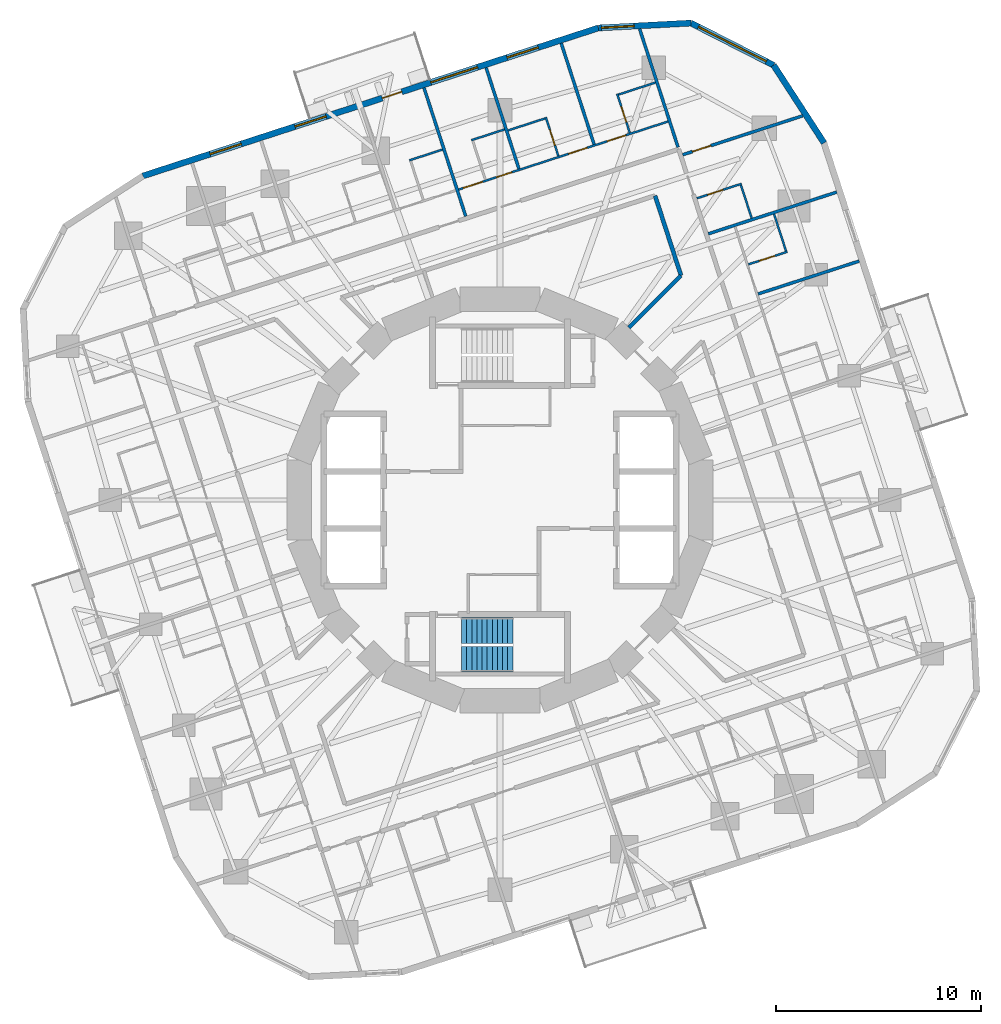
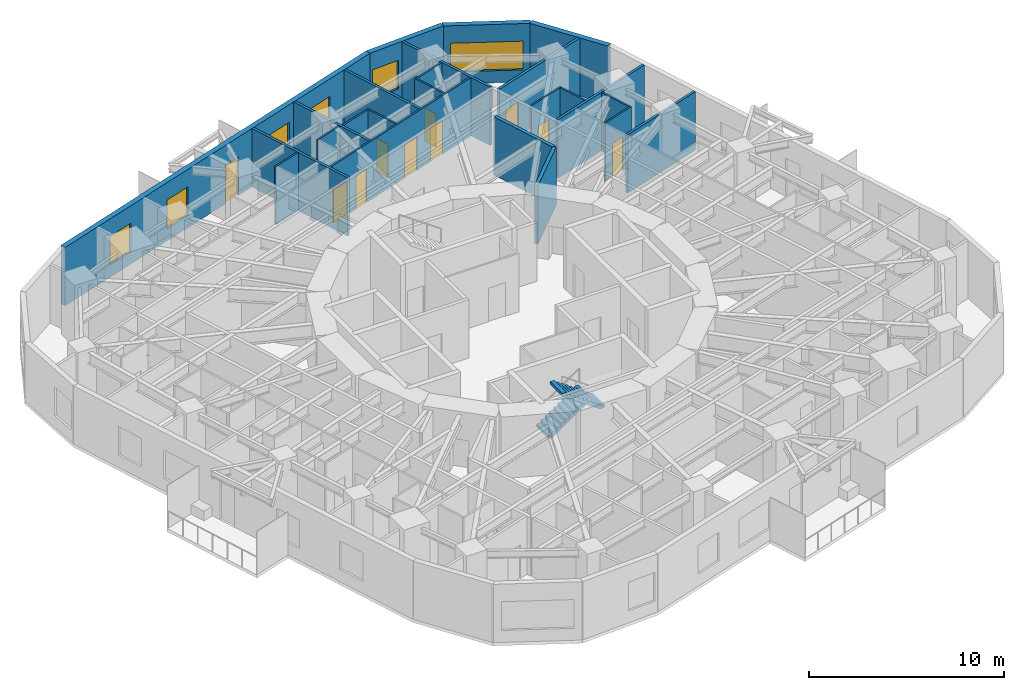
# One storey, part 10 of 13: 24 walls, 10 doors, 6 windows, 2 stair flights, 16 openings, 1 element without a shape of its own.
"""IFC4 building model written with IfcOpenShell, lengths in metres."""

from ifc_helpers import new_model, si_unit, direction, frame, frame_2d, origin, place, context, subcontext, project, spatial, polyline, rectangle, outline, extrude, material, layer, layer_set, type_object, element, fill, aggregate, save


model = new_model("IFC4")

# Units and contexts
model_context = context("Model", 3, precision=1e-05, world=origin(), true_north=direction((0.0, 1.0)))
body_context = subcontext(model_context, "Body", "Model", "MODEL_VIEW")
ifc_project = project(units=[si_unit("LENGTHUNIT", "METRE"), si_unit("AREAUNIT", "SQUARE_METRE"), si_unit("VOLUMEUNIT", "CUBIC_METRE"), si_unit("PLANEANGLEUNIT", "RADIAN"), si_unit("MASSUNIT", "GRAM", prefix="KILO")], contexts=[model_context])

# Site, building, storey
site_placement = place(None, origin())
site = spatial("IfcSite", under=ifc_project, at=site_placement, CompositionType="ELEMENT")
building_placement = place(site_placement, origin())
building = spatial("IfcBuilding", under=site, at=building_placement, Name="Nakasero Lantern House", CompositionType="ELEMENT")
storey_placement = place(building_placement, frame((0.0, 0.0, 161.050048828125)))
storey = spatial("IfcBuildingStorey", under=building, at=storey_placement, Name="L39", CompositionType="ELEMENT", Elevation=161.050048828125)

# Wall, openings, doors
ifc_material_1 = material(Name="Blockwork", Category="masonry")
ifc_layer_1 = layer(ifc_material_1, 0.10009765625)
ifc_layer_set_1 = layer_set([ifc_layer_1], Name="Cluster hall wall 100")
wall_type_1 = type_object("IfcWallType", Name="Cluster hall wall 100", PredefinedType="PARTITIONING", material=ifc_layer_set_1)
wall_1_placement = place(storey_placement, frame((8.21240234375, 18.492919921875, 0.0), z_axis=(0.0, 0.0, 1.0), x_axis=(-0.951054746376, -0.309022441572, 0.0)))
wall_1 = element("IfcWall", 1, at=wall_1_placement, inside=storey, type_object=wall_type_1, Name="Cluster hall wall L39 HW1-0", PredefinedType="PARTITIONING", context=body_context, shape_type="SweptSolid", body=[
    extrude(rectangle(XDim=10.758056640625, YDim=0.10009765625, at=frame_2d((5.37890625, 0.0))), origin(), (0.0, 0.0, 1.0), 3.64990234375),
])
opening_1_placement = place(wall_1_placement, frame((9.532958984375, 0.0, 0.0)))
opening_1 = element("IfcOpeningElement", 2, at=opening_1_placement, cuts=wall_1, Name="Opening D03", PredefinedType="OPENING", context=body_context, shape_type="SweptSolid", body=[
    extrude(rectangle(XDim=1.0, YDim=2.10009765625, at=frame_2d((0.5, 1.050048828125))), frame((0.0, 0.070068359375, 0.0), z_axis=(0.0, -1.0, 0.0), x_axis=(1.0, 0.0, 0.0)), (0.0, 0.0, 1.0), 0.14013671875),
])
opening_2_placement = place(wall_1_placement, frame((8.01904296875, 0.0, 0.0)))
opening_2 = element("IfcOpeningElement", 3, at=opening_2_placement, cuts=wall_1, Name="Opening D02", PredefinedType="OPENING", context=body_context, shape_type="SweptSolid", body=[
    extrude(rectangle(XDim=0.800048828125, YDim=2.10009765625, at=frame_2d((0.39990234375, 1.050048828125))), frame((0.0, 0.070068359375, 0.0), z_axis=(0.0, -1.0, 0.0), x_axis=(1.0, 0.0, 0.0)), (0.0, 0.0, 1.0), 0.14013671875),
])
opening_3_placement = place(wall_1_placement, frame((2.175048828125, 0.0, 0.0)))
opening_3 = element("IfcOpeningElement", 4, at=opening_3_placement, cuts=wall_1, Name="Opening D01", PredefinedType="OPENING", context=body_context, shape_type="SweptSolid", body=[
    extrude(rectangle(XDim=0.949951171875, YDim=2.10009765625, at=frame_2d((0.47509765625, 1.050048828125))), frame((0.0, 0.070068359375, 0.0), z_axis=(0.0, -1.0, 0.0), x_axis=(1.0, 0.0, 0.0)), (0.0, 0.0, 1.0), 0.14013671875),
])
opening_4_placement = place(wall_1_placement, frame((4.159423828125, 0.0, 0.0)))
opening_4 = element("IfcOpeningElement", 5, at=opening_4_placement, cuts=wall_1, Name="Opening D01", PredefinedType="OPENING", context=body_context, shape_type="SweptSolid", body=[
    extrude(rectangle(XDim=0.949951171875, YDim=2.10009765625, at=frame_2d((0.47509765625, 1.050048828125))), frame((0.0, 0.070068359375, 0.0), z_axis=(0.0, -1.0, 0.0), x_axis=(1.0, 0.0, 0.0)), (0.0, 0.0, 1.0), 0.14013671875),
])
ifc_material_2 = material(Name="Timber C24", Category="wood")
door_type_1 = type_object("IfcDoorType", Name="Bedroom door FD30S 950", OperationType="SINGLE_SWING_LEFT", PredefinedType="DOOR", material=ifc_material_2)
door_1_placement = place(opening_3_placement, origin())
door_1 = element("IfcDoor", 6, at=door_1_placement, inside=storey, type_object=door_type_1, Name="Door L39 D1-00", OperationType="SINGLE_SWING_LEFT", OverallHeight=2.10009765625, OverallWidth=0.949951171875, PredefinedType="DOOR", context=body_context, shape_type="SweptSolid", body=[
    extrude(rectangle(XDim=0.949951171875, YDim=2.10009765625, at=frame_2d((0.47509765625, 1.050048828125))), frame((0.0, 0.02490234375, 0.0), z_axis=(0.0, -1.0, 0.0), x_axis=(1.0, 0.0, 0.0)), (0.0, 0.0, 1.0), 0.050048828125),
])
fill(opening_3, door_1)
door_2_placement = place(opening_4_placement, origin())
door_2 = element("IfcDoor", 7, at=door_2_placement, inside=storey, type_object=door_type_1, Name="Door L39 D1-01", OperationType="SINGLE_SWING_LEFT", OverallHeight=2.10009765625, OverallWidth=0.949951171875, PredefinedType="DOOR", context=body_context, shape_type="SweptSolid", body=[
    extrude(rectangle(XDim=0.949951171875, YDim=2.10009765625, at=frame_2d((0.47509765625, 1.050048828125))), frame((0.0, 0.02490234375, 0.0), z_axis=(0.0, -1.0, 0.0), x_axis=(1.0, 0.0, 0.0)), (0.0, 0.0, 1.0), 0.050048828125),
])
fill(opening_4, door_2)
ifc_material_3 = material(Name="Timber C24", Category="wood")
door_type_2 = type_object("IfcDoorType", Name="En-suite door 800", OperationType="SINGLE_SWING_RIGHT", PredefinedType="DOOR", material=ifc_material_3)
door_3_placement = place(opening_2_placement, origin())
door_3 = element("IfcDoor", 8, at=door_3_placement, inside=storey, type_object=door_type_2, Name="Door L39 DSH1-0", OperationType="SINGLE_SWING_RIGHT", OverallHeight=2.10009765625, OverallWidth=0.800048828125, PredefinedType="DOOR", context=body_context, shape_type="SweptSolid", body=[
    extrude(rectangle(XDim=0.800048828125, YDim=2.10009765625, at=frame_2d((0.39990234375, 1.050048828125))), frame((0.0, 0.02490234375, 0.0), z_axis=(0.0, -1.0, 0.0), x_axis=(1.0, 0.0, 0.0)), (0.0, 0.0, 1.0), 0.050048828125),
])
fill(opening_2, door_3)
ifc_material_4 = material(Name="Timber C24", Category="wood")
door_type_3 = type_object("IfcDoorType", Name="Lounge door FD30S 1000", OperationType="SINGLE_SWING_LEFT", PredefinedType="DOOR", material=ifc_material_4)
door_4_placement = place(opening_1_placement, origin())
door_4 = element("IfcDoor", 9, at=door_4_placement, inside=storey, type_object=door_type_3, Name="Door L39 DH1-0", OperationType="SINGLE_SWING_RIGHT", OverallHeight=2.10009765625, OverallWidth=1.0, PredefinedType="DOOR", context=body_context, shape_type="SweptSolid", body=[
    extrude(rectangle(XDim=1.0, YDim=2.10009765625, at=frame_2d((0.5, 1.050048828125))), frame((0.0, 0.02490234375, 0.0), z_axis=(0.0, -1.0, 0.0), x_axis=(1.0, 0.0, 0.0)), (0.0, 0.0, 1.0), 0.050048828125),
])
fill(opening_1, door_4)

# Walls
ifc_material_5 = material(Name="Blockwork", Category="masonry")
ifc_layer_2 = layer(ifc_material_5, 0.199951171875)
ifc_layer_set_2 = layer_set([ifc_layer_2], Name="Corridor wall 200")
wall_type_2 = type_object("IfcWallType", Name="Corridor wall 200", PredefinedType="PARTITIONING", material=ifc_layer_set_2)
wall_2_placement = place(storey_placement, frame((8.84423828125, 10.965576171875, 0.0), z_axis=(0.0, 0.0, 1.0), x_axis=(-0.308973082722, 0.951070782935, 0.0)))
element("IfcWall", 10, at=wall_2_placement, inside=storey, type_object=wall_type_2, Name="Corridor wall L39 IW0-1", PredefinedType="PARTITIONING", context=body_context, shape_type="SweptSolid", body=[
    extrude(rectangle(XDim=4.104248046875, YDim=0.199951171875, at=frame_2d((2.05224609375, 0.0))), origin(), (0.0, 0.0, 1.0), 3.64990234375),
])
wall_3_placement = place(storey_placement, frame((6.298828125, 8.420166015625, 0.0), z_axis=(0.0, 0.0, 1.0), x_axis=(0.707106781187, 0.707106781187, 0.0)))
element("IfcWall", 11, at=wall_3_placement, inside=storey, type_object=wall_type_2, Name="Corridor wall L39 PS02a", PredefinedType="PARTITIONING", context=body_context, shape_type="SweptSolid", body=[
    extrude(rectangle(XDim=3.599853515625, YDim=0.199951171875, at=frame_2d((1.7998046875, 0.0))), origin(), (0.0, 0.0, 1.0), 3.64990234375),
])

# Wall, opening, door
ifc_material_6 = material(Name="Blockwork", Category="masonry")
ifc_layer_3 = layer(ifc_material_6, 0.10009765625)
ifc_layer_set_3 = layer_set([ifc_layer_3], Name="En-suite wall 100")
wall_type_3 = type_object("IfcWallType", Name="En-suite wall 100", PredefinedType="PARTITIONING", material=ifc_layer_set_3)
wall_4_placement = place(storey_placement, frame((12.13671875, 11.51123046875, 0.0), z_axis=(0.0, 0.0, 1.0), x_axis=(0.951048418938, 0.309041914367, 0.0)))
wall_4 = element("IfcWall", 12, at=wall_4_placement, inside=storey, type_object=wall_type_3, Name="En-suite wall L39 ES0-05", PredefinedType="PARTITIONING", context=body_context, shape_type="SweptSolid", body=[
    extrude(rectangle(XDim=2.000244140625, YDim=0.10009765625, at=frame_2d((1.0, 0.0))), origin(), (0.0, 0.0, 1.0), 3.64990234375),
])
opening_5_placement = place(wall_4_placement, frame((0.550048828125, 0.0, 0.0)))
opening_5 = element("IfcOpeningElement", 13, at=opening_5_placement, cuts=wall_4, Name="Opening D02", PredefinedType="OPENING", context=body_context, shape_type="SweptSolid", body=[
    extrude(rectangle(XDim=0.800048828125, YDim=2.10009765625, at=frame_2d((0.39990234375, 1.050048828125))), frame((0.0, 0.070068359375, 0.0), z_axis=(0.0, -1.0, 0.0), x_axis=(1.0, 0.0, 0.0)), (0.0, 0.0, 1.0), 0.14013671875),
])
door_5_placement = place(opening_5_placement, origin())
door_5 = element("IfcDoor", 14, at=door_5_placement, inside=storey, type_object=door_type_2, Name="Door L39 DE0-05", OperationType="SINGLE_SWING_LEFT", OverallHeight=2.10009765625, OverallWidth=0.800048828125, PredefinedType="DOOR", context=body_context, shape_type="SweptSolid", body=[
    extrude(rectangle(XDim=0.800048828125, YDim=2.10009765625, at=frame_2d((0.39990234375, 1.050048828125))), frame((0.0, 0.02490234375, 0.0), z_axis=(0.0, -1.0, 0.0), x_axis=(1.0, 0.0, 0.0)), (0.0, 0.0, 1.0), 0.050048828125),
])
fill(opening_5, door_5)

# Wall
wall_5_placement = place(storey_placement, frame((13.975830078125, 12.161376953125, 0.0), z_axis=(0.0, 0.0, 1.0), x_axis=(-0.308894308917, 0.951096370469, 0.0)))
element("IfcWall", 15, at=wall_5_placement, inside=storey, type_object=wall_type_3, Name="En-suite wall L39 EE0-05", PredefinedType="PARTITIONING", context=body_context, shape_type="SweptSolid", body=[
    extrude(rectangle(XDim=1.900146484375, YDim=0.10009765625, at=frame_2d((0.9501953125, 0.0))), origin(), (0.0, 0.0, 1.0), 3.64990234375),
])

# Wall, opening, door
wall_6_placement = place(storey_placement, frame((9.61572265625, 14.740234375, 0.0), z_axis=(0.0, 0.0, 1.0), x_axis=(0.951055129775, 0.309021261611, 0.0)))
wall_6 = element("IfcWall", 16, at=wall_6_placement, inside=storey, type_object=wall_type_3, Name="En-suite wall L39 ES0-06", PredefinedType="PARTITIONING", context=body_context, shape_type="SweptSolid", body=[
    extrude(rectangle(XDim=2.2998046875, YDim=0.10009765625, at=frame_2d((1.14990234375, 0.0))), origin(), (0.0, 0.0, 1.0), 3.64990234375),
])
opening_6_placement = place(wall_6_placement, frame((0.550048828125, 0.0, 0.0)))
opening_6 = element("IfcOpeningElement", 17, at=opening_6_placement, cuts=wall_6, Name="Opening D02", PredefinedType="OPENING", context=body_context, shape_type="SweptSolid", body=[
    extrude(rectangle(XDim=0.800048828125, YDim=2.10009765625, at=frame_2d((0.39990234375, 1.050048828125))), frame((0.0, 0.070068359375, 0.0), z_axis=(0.0, -1.0, 0.0), x_axis=(1.0, 0.0, 0.0)), (0.0, 0.0, 1.0), 0.14013671875),
])
door_6_placement = place(opening_6_placement, origin())
door_6 = element("IfcDoor", 18, at=door_6_placement, inside=storey, type_object=door_type_2, Name="Door L39 DE0-06", OperationType="SINGLE_SWING_LEFT", OverallHeight=2.10009765625, OverallWidth=0.800048828125, PredefinedType="DOOR", context=body_context, shape_type="SweptSolid", body=[
    extrude(rectangle(XDim=0.800048828125, YDim=2.10009765625, at=frame_2d((0.39990234375, 1.050048828125))), frame((0.0, 0.02490234375, 0.0), z_axis=(0.0, -1.0, 0.0), x_axis=(1.0, 0.0, 0.0)), (0.0, 0.0, 1.0), 0.050048828125),
])
fill(opening_6, door_6)

# Walls
for number, where, z_axis, x_axis, name in (
    (19, (12.29638671875, 13.771240234375, 0.0), (0.0, 0.0, 1.0), (-0.309066587596, 0.951040401051, 0.0), "En-suite wall L39 EE0-06"),
    (20, (0.22216796875, 18.104736328125, 0.0), (0.0, 0.0, 1.0), (-0.951040401051, -0.309066587596, 0.0), "En-suite wall L39 SE1-0"),
    (21, (-2.810791015625, 17.119384765625, 0.0), (0.0, 0.0, 1.0), (-0.951040401051, -0.309066587596, 0.0), "En-suite wall L39 SE1-1"),
):
    element("IfcWall", number, at=place(storey_placement, frame(where, z_axis=z_axis, x_axis=x_axis)), inside=storey, type_object=wall_type_3, Name=name, PredefinedType="PARTITIONING", context=body_context, shape_type="SweptSolid", body=[
        extrude(rectangle(XDim=1.699951171875, YDim=0.10009765625, at=frame_2d((0.85009765625, 0.0))), origin(), (0.0, 0.0, 1.0), 3.64990234375),
    ])

# Wall, opening, door
wall_7_placement = place(storey_placement, frame((6.34228515625, 17.937744140625, 0.0), z_axis=(0.0, 0.0, 1.0), x_axis=(-0.308967378027, 0.951072636193, 0.0)))
wall_7 = element("IfcWall", 22, at=wall_7_placement, inside=storey, type_object=wall_type_3, Name="En-suite wall L39 ES1-00", PredefinedType="PARTITIONING", context=body_context, shape_type="SweptSolid", body=[
    extrude(rectangle(XDim=2.0, YDim=0.10009765625, at=frame_2d((1.0, 0.0))), origin(), (0.0, 0.0, 1.0), 3.64990234375),
])
opening_7_placement = place(wall_7_placement, frame((0.550048828125, 0.0, 0.0)))
opening_7 = element("IfcOpeningElement", 23, at=opening_7_placement, cuts=wall_7, Name="Opening D02", PredefinedType="OPENING", context=body_context, shape_type="SweptSolid", body=[
    extrude(rectangle(XDim=0.800048828125, YDim=2.10009765625, at=frame_2d((0.39990234375, 1.050048828125))), frame((0.0, 0.070068359375, 0.0), z_axis=(0.0, -1.0, 0.0), x_axis=(1.0, 0.0, 0.0)), (0.0, 0.0, 1.0), 0.14013671875),
])
door_7_placement = place(opening_7_placement, origin())
door_7 = element("IfcDoor", 24, at=door_7_placement, inside=storey, type_object=door_type_2, Name="Door L39 DE1-00", OperationType="SINGLE_SWING_LEFT", OverallHeight=2.10009765625, OverallWidth=0.800048828125, PredefinedType="DOOR", context=body_context, shape_type="SweptSolid", body=[
    extrude(rectangle(XDim=0.800048828125, YDim=2.10009765625, at=frame_2d((0.39990234375, 1.050048828125))), frame((0.0, 0.02490234375, 0.0), z_axis=(0.0, -1.0, 0.0), x_axis=(1.0, 0.0, 0.0)), (0.0, 0.0, 1.0), 0.050048828125),
])
fill(opening_7, door_7)

# Wall
wall_8_placement = place(storey_placement, frame((7.59423828125, 20.39501953125, 0.0), z_axis=(0.0, 0.0, 1.0), x_axis=(-0.951046344356, -0.309048298632, 0.0)))
element("IfcWall", 25, at=wall_8_placement, inside=storey, type_object=wall_type_3, Name="En-suite wall L39 EE1-00", PredefinedType="PARTITIONING", context=body_context, shape_type="SweptSolid", body=[
    extrude(rectangle(XDim=1.89990234375, YDim=0.10009765625, at=frame_2d((0.949951171875, 0.0))), origin(), (0.0, 0.0, 1.0), 3.64990234375),
])

# Wall, opening, door
wall_9_placement = place(storey_placement, frame((2.85302734375, 16.803955078125, 0.0), z_axis=(0.0, 0.0, 1.0), x_axis=(-0.309077791808, 0.951036759863, 0.0)))
wall_9 = element("IfcWall", 26, at=wall_9_placement, inside=storey, type_object=wall_type_3, Name="En-suite wall L39 ES1-01", PredefinedType="PARTITIONING", context=body_context, shape_type="SweptSolid", body=[
    extrude(rectangle(XDim=2.0, YDim=0.10009765625, at=frame_2d((1.0, 0.0))), origin(), (0.0, 0.0, 1.0), 3.64990234375),
])
opening_8_placement = place(wall_9_placement, frame((0.550048828125, 0.0, 0.0)))
opening_8 = element("IfcOpeningElement", 27, at=opening_8_placement, cuts=wall_9, Name="Opening D02", PredefinedType="OPENING", context=body_context, shape_type="SweptSolid", body=[
    extrude(rectangle(XDim=0.800048828125, YDim=2.10009765625, at=frame_2d((0.39990234375, 1.050048828125))), frame((0.0, 0.070068359375, 0.0), z_axis=(0.0, -1.0, 0.0), x_axis=(1.0, 0.0, 0.0)), (0.0, 0.0, 1.0), 0.14013671875),
])
door_8_placement = place(opening_8_placement, origin())
door_8 = element("IfcDoor", 28, at=door_8_placement, inside=storey, type_object=door_type_2, Name="Door L39 DE1-01", OperationType="SINGLE_SWING_LEFT", OverallHeight=2.10009765625, OverallWidth=0.800048828125, PredefinedType="DOOR", context=body_context, shape_type="SweptSolid", body=[
    extrude(rectangle(XDim=0.800048828125, YDim=2.10009765625, at=frame_2d((0.39990234375, 1.050048828125))), frame((0.0, 0.02490234375, 0.0), z_axis=(0.0, -1.0, 0.0), x_axis=(1.0, 0.0, 0.0)), (0.0, 0.0, 1.0), 0.050048828125),
])
fill(opening_8, door_8)

# Walls
wall_10_placement = place(storey_placement, frame((2.202880859375, 18.64306640625, 0.0), z_axis=(0.0, 0.0, 1.0), x_axis=(-0.951096370469, -0.308894308917, 0.0)))
element("IfcWall", 29, at=wall_10_placement, inside=storey, type_object=wall_type_3, Name="En-suite wall L39 EE1-01", PredefinedType="PARTITIONING", context=body_context, shape_type="SweptSolid", body=[
    extrude(rectangle(XDim=1.900146484375, YDim=0.10009765625, at=frame_2d((0.9501953125, 0.0))), origin(), (0.0, 0.0, 1.0), 3.64990234375),
])
ifc_material_7 = material(Name="Aluminium rainscreen on blockwork", Category="masonry")
ifc_layer_4 = layer(ifc_material_7, 0.300048828125)
ifc_layer_set_4 = layer_set([ifc_layer_4], Name="Facade wall 300")
wall_type_4 = type_object("IfcWallType", Name="Facade wall 300", PredefinedType="SOLIDWALL", material=ifc_layer_set_4)
wall_11_placement = place(storey_placement, frame((15.83349609375, 17.44677734375, 0.0), z_axis=(0.0, 0.0, 1.0), x_axis=(-0.544634002266, 0.838673836229, 0.0)))
element("IfcWall", 30, at=wall_11_placement, inside=storey, type_object=wall_type_4, Name="Facade wall L39 FW0C1", PredefinedType="SOLIDWALL", context=body_context, shape_type="SweptSolid", body=[
    extrude(rectangle(XDim=4.529296875, YDim=0.300048828125, at=frame_2d((2.2646484375, 0.0))), origin(), (0.0, 0.0, 1.0), 3.64990234375),
])

# Wall, opening, window
wall_12_placement = place(storey_placement, frame((13.36669921875, 21.245361328125, 0.0), z_axis=(0.0, 0.0, 1.0), x_axis=(-0.890994655705, 0.454013792196, 0.0)))
wall_12 = element("IfcWall", 31, at=wall_12_placement, inside=storey, type_object=wall_type_4, Name="Facade wall L39 FW0C2", PredefinedType="SOLIDWALL", context=body_context, shape_type="SweptSolid", body=[
    extrude(rectangle(XDim=4.529296875, YDim=0.300048828125, at=frame_2d((2.2646484375, 0.0))), origin(), (0.0, 0.0, 1.0), 3.64990234375),
])
opening_9_placement = place(wall_12_placement, frame((0.39990234375, 0.0, 0.75)))
opening_9 = element("IfcOpeningElement", 32, at=opening_9_placement, cuts=wall_12, Name="Opening W237A", PredefinedType="OPENING", context=body_context, shape_type="SweptSolid", body=[
    extrude(rectangle(XDim=3.72900390625, YDim=1.800048828125, at=frame_2d((1.864501953125, 0.89990234375))), frame((0.0, 0.169921875, 0.0), z_axis=(0.0, -1.0, 0.0), x_axis=(1.0, 0.0, 0.0)), (0.0, 0.0, 1.0), 0.340087890625),
])
ifc_material_8 = material(Name="Aluminium 6063-T6 and glass", Category="aluminium")
window_type_1 = type_object("IfcWindowType", Name="Corner window 3729x1800", PartitioningType="SINGLE_PANEL", PredefinedType="WINDOW", material=ifc_material_8)
window_1_placement = place(opening_9_placement, origin())
window_1 = element("IfcWindow", 33, at=window_1_placement, inside=storey, type_object=window_type_1, Name="Window L39 WC0", OverallHeight=1.800048828125, OverallWidth=3.72900390625, PartitioningType="SINGLE_PANEL", PredefinedType="WINDOW", context=body_context, shape_type="SweptSolid", body=[
    extrude(rectangle(XDim=3.72900390625, YDim=1.800048828125, at=frame_2d((1.864501953125, 0.89990234375))), frame((0.0, 0.030029296875, 0.0), z_axis=(0.0, -1.0, 0.0), x_axis=(1.0, 0.0, 0.0)), (0.0, 0.0, 1.0), 0.06005859375),
])
fill(opening_9, window_1)

wall_13_placement = place(storey_placement, frame((9.3310546875, 23.3017578125, 0.0), z_axis=(0.0, 0.0, 1.0), x_axis=(-0.998629419044, -0.052338164079, 0.0)))
wall_13 = element("IfcWall", 34, at=wall_13_placement, inside=storey, type_object=wall_type_4, Name="Facade wall L39 FW0C3", PredefinedType="SOLIDWALL", context=body_context, shape_type="SweptSolid", body=[
    extrude(rectangle(XDim=4.529296875, YDim=0.300048828125, at=frame_2d((2.2646484375, 0.0))), origin(), (0.0, 0.0, 1.0), 3.64990234375),
])
opening_10_placement = place(wall_13_placement, frame((2.784912109375, 0.0, 0.75)))
opening_10 = element("IfcOpeningElement", 35, at=opening_10_placement, cuts=wall_13, Name="Opening W01", PredefinedType="OPENING", context=body_context, shape_type="SweptSolid", body=[
    extrude(rectangle(XDim=1.60009765625, YDim=1.800048828125, at=frame_2d((0.800048828125, 0.89990234375))), frame((0.0, 0.169921875, 0.0), z_axis=(0.0, -1.0, 0.0), x_axis=(1.0, 0.0, 0.0)), (0.0, 0.0, 1.0), 0.340087890625),
])
ifc_material_9 = material(Name="Aluminium 6063-T6 and glass", Category="aluminium")
window_type_2 = type_object("IfcWindowType", Name="Bedroom window 1600x1800", PartitioningType="SINGLE_PANEL", PredefinedType="WINDOW", material=ifc_material_9)
window_2_placement = place(opening_10_placement, origin())
window_2 = element("IfcWindow", 36, at=window_2_placement, inside=storey, type_object=window_type_2, Name="Window L39 WN1-00", OverallHeight=1.800048828125, OverallWidth=1.60009765625, PartitioningType="SINGLE_PANEL", PredefinedType="WINDOW", context=body_context, shape_type="SweptSolid", body=[
    extrude(rectangle(XDim=1.60009765625, YDim=1.800048828125, at=frame_2d((0.800048828125, 0.89990234375))), frame((0.0, 0.030029296875, 0.0), z_axis=(0.0, -1.0, 0.0), x_axis=(1.0, 0.0, 0.0)), (0.0, 0.0, 1.0), 0.06005859375),
])
fill(opening_10, window_2)

# Wall, openings, door, windows
wall_14_placement = place(storey_placement, frame((4.807861328125, 23.064697265625, 0.0), z_axis=(0.0, 0.0, 1.0), x_axis=(-0.951053618334, -0.30902591324, 0.0)))
wall_14 = element("IfcWall", 37, at=wall_14_placement, inside=storey, type_object=wall_type_4, Name="Facade wall L39 FW1S", PredefinedType="SOLIDWALL", context=body_context, shape_type="SweptSolid", body=[
    extrude(rectangle(XDim=23.39990234375, YDim=0.300048828125, at=frame_2d((11.699951171875, 0.0))), origin(), (0.0, 0.0, 1.0), 3.64990234375),
])
opening_11_placement = place(wall_14_placement, frame((3.089111328125, 0.0, 0.75)))
opening_11 = element("IfcOpeningElement", 38, at=opening_11_placement, cuts=wall_14, Name="Opening W01", PredefinedType="OPENING", context=body_context, shape_type="SweptSolid", body=[
    extrude(rectangle(XDim=1.60009765625, YDim=1.800048828125, at=frame_2d((0.800048828125, 0.89990234375))), frame((0.0, 0.169921875, 0.0), z_axis=(0.0, -1.0, 0.0), x_axis=(1.0, 0.0, 0.0)), (0.0, 0.0, 1.0), 0.340087890625),
])
opening_12_placement = place(wall_14_placement, frame((13.987548828125, 0.0, 0.75)))
opening_12 = element("IfcOpeningElement", 39, at=opening_12_placement, cuts=wall_14, Name="Opening W01", PredefinedType="OPENING", context=body_context, shape_type="SweptSolid", body=[
    extrude(rectangle(XDim=1.60009765625, YDim=1.800048828125, at=frame_2d((0.800048828125, 0.89990234375))), frame((0.0, 0.169921875, 0.0), z_axis=(0.0, -1.0, 0.0), x_axis=(1.0, 0.0, 0.0)), (0.0, 0.0, 1.0), 0.340087890625),
])
opening_13_placement = place(wall_14_placement, frame((18.350341796875, 0.0, 0.75)))
opening_13 = element("IfcOpeningElement", 40, at=opening_13_placement, cuts=wall_14, Name="Opening W01", PredefinedType="OPENING", context=body_context, shape_type="SweptSolid", body=[
    extrude(rectangle(XDim=1.60009765625, YDim=1.800048828125, at=frame_2d((0.800048828125, 0.89990234375))), frame((0.0, 0.169921875, 0.0), z_axis=(0.0, -1.0, 0.0), x_axis=(1.0, 0.0, 0.0)), (0.0, 0.0, 1.0), 0.340087890625),
])
opening_14_placement = place(wall_14_placement, frame((6.21337890625, 0.0, 0.75)))
opening_14 = element("IfcOpeningElement", 41, at=opening_14_placement, cuts=wall_14, Name="Opening W03", PredefinedType="OPENING", context=body_context, shape_type="SweptSolid", body=[
    extrude(rectangle(XDim=2.39990234375, YDim=1.800048828125, at=frame_2d((1.199951171875, 0.89990234375))), frame((0.0, 0.169921875, 0.0), z_axis=(0.0, -1.0, 0.0), x_axis=(1.0, 0.0, 0.0)), (0.0, 0.0, 1.0), 0.340087890625),
])
opening_15_placement = place(wall_14_placement, frame((10.1025390625, 0.0, 0.0)))
opening_15 = element("IfcOpeningElement", 42, at=opening_15_placement, cuts=wall_14, Name="Opening D04", PredefinedType="OPENING", context=body_context, shape_type="SweptSolid", body=[
    extrude(rectangle(XDim=1.0, YDim=2.39990234375, at=frame_2d((0.5, 1.199951171875))), frame((0.0, 0.169921875, 0.0), z_axis=(0.0, -1.0, 0.0), x_axis=(1.0, 0.0, 0.0)), (0.0, 0.0, 1.0), 0.340087890625),
])
ifc_material_10 = material(Name="Aluminium 6063-T6 and glass", Category="aluminium")
door_type_4 = type_object("IfcDoorType", Name="Balcony door 1000x2400", OperationType="SINGLE_SWING_RIGHT", PredefinedType="DOOR", material=ifc_material_10)
door_9_placement = place(opening_15_placement, origin())
door_9 = element("IfcDoor", 43, at=door_9_placement, inside=storey, type_object=door_type_4, Name="Balcony door L39 DB1", OperationType="SINGLE_SWING_RIGHT", OverallHeight=2.39990234375, OverallWidth=1.0, PredefinedType="DOOR", context=body_context, shape_type="SweptSolid", body=[
    extrude(rectangle(XDim=1.0, YDim=2.39990234375, at=frame_2d((0.5, 1.199951171875))), frame((0.0, 0.02490234375, 0.0), z_axis=(0.0, -1.0, 0.0), x_axis=(1.0, 0.0, 0.0)), (0.0, 0.0, 1.0), 0.050048828125),
])
fill(opening_15, door_9)
window_3_placement = place(opening_11_placement, origin())
window_3 = element("IfcWindow", 44, at=window_3_placement, inside=storey, type_object=window_type_2, Name="Window L39 WN1-01", OverallHeight=1.800048828125, OverallWidth=1.60009765625, PartitioningType="SINGLE_PANEL", PredefinedType="WINDOW", context=body_context, shape_type="SweptSolid", body=[
    extrude(rectangle(XDim=1.60009765625, YDim=1.800048828125, at=frame_2d((0.800048828125, 0.89990234375))), frame((0.0, 0.030029296875, 0.0), z_axis=(0.0, -1.0, 0.0), x_axis=(1.0, 0.0, 0.0)), (0.0, 0.0, 1.0), 0.06005859375),
])
fill(opening_11, window_3)
window_4_placement = place(opening_12_placement, origin())
window_4 = element("IfcWindow", 45, at=window_4_placement, inside=storey, type_object=window_type_2, Name="Window L39 WN1-04", OverallHeight=1.800048828125, OverallWidth=1.60009765625, PartitioningType="SINGLE_PANEL", PredefinedType="WINDOW", context=body_context, shape_type="SweptSolid", body=[
    extrude(rectangle(XDim=1.60009765625, YDim=1.800048828125, at=frame_2d((0.800048828125, 0.89990234375))), frame((0.0, 0.030029296875, 0.0), z_axis=(0.0, -1.0, 0.0), x_axis=(1.0, 0.0, 0.0)), (0.0, 0.0, 1.0), 0.06005859375),
])
fill(opening_12, window_4)
window_5_placement = place(opening_13_placement, origin())
window_5 = element("IfcWindow", 46, at=window_5_placement, inside=storey, type_object=window_type_2, Name="Window L39 WN1-05", OverallHeight=1.800048828125, OverallWidth=1.60009765625, PartitioningType="SINGLE_PANEL", PredefinedType="WINDOW", context=body_context, shape_type="SweptSolid", body=[
    extrude(rectangle(XDim=1.60009765625, YDim=1.800048828125, at=frame_2d((0.800048828125, 0.89990234375))), frame((0.0, 0.030029296875, 0.0), z_axis=(0.0, -1.0, 0.0), x_axis=(1.0, 0.0, 0.0)), (0.0, 0.0, 1.0), 0.06005859375),
])
fill(opening_13, window_5)
ifc_material_11 = material(Name="Aluminium 6063-T6 and glass", Category="aluminium")
window_type_3 = type_object("IfcWindowType", Name="Lounge window 2400x1800", PartitioningType="SINGLE_PANEL", PredefinedType="WINDOW", material=ifc_material_11)
window_6_placement = place(opening_14_placement, origin())
window_6 = element("IfcWindow", 47, at=window_6_placement, inside=storey, type_object=window_type_3, Name="Window L39 WK1", OverallHeight=1.800048828125, OverallWidth=2.39990234375, PartitioningType="SINGLE_PANEL", PredefinedType="WINDOW", context=body_context, shape_type="SweptSolid", body=[
    extrude(rectangle(XDim=2.39990234375, YDim=1.800048828125, at=frame_2d((1.199951171875, 0.89990234375))), frame((0.0, 0.030029296875, 0.0), z_axis=(0.0, -1.0, 0.0), x_axis=(1.0, 0.0, 0.0)), (0.0, 0.0, 1.0), 0.06005859375),
])
fill(opening_14, window_6)

# Walls
ifc_material_12 = material(Name="Blockwork", Category="masonry")
ifc_layer_5 = layer(ifc_material_12, 0.14990234375)
ifc_layer_set_5 = layer_set([ifc_layer_5], Name="Party wall 150")
wall_type_5 = type_object("IfcWallType", Name="Party wall 150", PredefinedType="PARTITIONING", material=ifc_layer_set_5)
wall_15_placement = place(storey_placement, frame((12.606201171875, 10.06640625, 0.0), z_axis=(0.0, 0.0, 1.0), x_axis=(0.951055112834, 0.309021313752, 0.0)))
element("IfcWall", 48, at=wall_15_placement, inside=storey, type_object=wall_type_5, Name="Party wall L39 PW0-05", PredefinedType="PARTITIONING", context=body_context, shape_type="SweptSolid", body=[
    extrude(rectangle(XDim=5.2001953125, YDim=0.14990234375, at=frame_2d((2.60009765625, 0.0))), origin(), (0.0, 0.0, 1.0), 3.64990234375),
])
wall_16_placement = place(storey_placement, frame((10.1796875, 13.004638671875, 0.0), z_axis=(0.0, 0.0, 1.0), x_axis=(0.951053095941, 0.309027520945, 0.0)))
element("IfcWall", 49, at=wall_16_placement, inside=storey, type_object=wall_type_5, Name="Party wall L39 PW0-06", PredefinedType="PARTITIONING", context=body_context, shape_type="SweptSolid", body=[
    extrude(rectangle(XDim=6.599853515625, YDim=0.14990234375, at=frame_2d((3.2998046875, 0.0))), origin(), (0.0, 0.0, 1.0), 3.64990234375),
])

# Wall, opening, door
wall_17_placement = place(storey_placement, frame((8.9248046875, 16.8662109375, 0.0), z_axis=(0.0, 0.0, 1.0), x_axis=(0.951051818488, 0.309031452366, 0.0)))
wall_17 = element("IfcWall", 50, at=wall_17_placement, inside=storey, type_object=wall_type_5, Name="Party wall L39 PC0", PredefinedType="PARTITIONING", context=body_context, shape_type="SweptSolid", body=[
    extrude(rectangle(XDim=6.165283203125, YDim=0.14990234375, at=frame_2d((3.08251953125, 0.0))), origin(), (0.0, 0.0, 1.0), 3.64990234375),
])
opening_16_placement = place(wall_17_placement, frame((0.5, 0.0, 0.0)))
opening_16 = element("IfcOpeningElement", 51, at=opening_16_placement, cuts=wall_17, Name="Opening D01", PredefinedType="OPENING", context=body_context, shape_type="SweptSolid", body=[
    extrude(rectangle(XDim=0.949951171875, YDim=2.10009765625, at=frame_2d((0.47509765625, 1.050048828125))), frame((0.0, 0.094970703125, 0.0), z_axis=(0.0, -1.0, 0.0), x_axis=(1.0, 0.0, 0.0)), (0.0, 0.0, 1.0), 0.18994140625),
])
door_10_placement = place(opening_16_placement, origin())
door_10 = element("IfcDoor", 52, at=door_10_placement, inside=storey, type_object=door_type_1, Name="Door L39 DC0", OperationType="SINGLE_SWING_LEFT", OverallHeight=2.10009765625, OverallWidth=0.949951171875, PredefinedType="DOOR", context=body_context, shape_type="SweptSolid", body=[
    extrude(rectangle(XDim=0.949951171875, YDim=2.10009765625, at=frame_2d((0.47509765625, 1.050048828125))), frame((0.0, 0.02490234375, 0.0), z_axis=(0.0, -1.0, 0.0), x_axis=(1.0, 0.0, 0.0)), (0.0, 0.0, 1.0), 0.050048828125),
])
fill(opening_16, door_10)

# Walls
wall_18_placement = place(storey_placement, frame((8.700927734375, 17.232177734375, 0.0), z_axis=(0.0, 0.0, 1.0), x_axis=(-0.309015253813, 0.951057081836, 0.0)))
element("IfcWall", 53, at=wall_18_placement, inside=storey, type_object=wall_type_5, Name="Party wall L39 PW1-00", PredefinedType="PARTITIONING", context=body_context, shape_type="SweptSolid", body=[
    extrude(rectangle(XDim=6.080322265625, YDim=0.14990234375, at=frame_2d((3.0400390625, 0.0))), origin(), (0.0, 0.0, 1.0), 3.64990234375),
])
for number, where, z_axis, x_axis, name in (
    (54, (4.59765625, 17.370849609375, 0.0), (0.0, 0.0, 1.0), (-0.309021313752, 0.951055112834, 0.0), "Party wall L39 PW1-01"),
    (55, (0.927001953125, 16.17822265625, 0.0), (0.0, 0.0, 1.0), (-0.309021313752, 0.951055112834, 0.0), "Party wall L39 PW1-02"),
):
    element("IfcWall", number, at=place(storey_placement, frame(where, z_axis=z_axis, x_axis=x_axis)), inside=storey, type_object=wall_type_5, Name=name, PredefinedType="PARTITIONING", context=body_context, shape_type="SweptSolid", body=[
        extrude(rectangle(XDim=5.2001953125, YDim=0.14990234375, at=frame_2d((2.60009765625, 0.0))), origin(), (0.0, 0.0, 1.0), 3.64990234375),
    ])
wall_19_placement = place(storey_placement, frame((-1.67333984375, 13.861328125, 0.0), z_axis=(0.0, 0.0, 1.0), x_axis=(-0.309016649428, 0.951056628375, 0.0)))
element("IfcWall", 56, at=wall_19_placement, inside=storey, type_object=wall_type_5, Name="Party wall L39 PW1-03", PredefinedType="PARTITIONING", context=body_context, shape_type="SweptSolid", body=[
    extrude(rectangle(XDim=6.60009765625, YDim=0.14990234375, at=frame_2d((3.300048828125, 0.0))), origin(), (0.0, 0.0, 1.0), 3.64990234375),
])

# Stair, stair flights
ifc_material_13 = material(Name="Concrete C40/50", Category="concrete")
stair_type = type_object("IfcStairType", Name="Escape stair ST2 22 risers", PredefinedType="HALF_TURN_STAIR", material=ifc_material_13)
stair_placement = place(storey_placement, origin())
stair = element("IfcStair", 57, at=stair_placement, inside=storey, type_object=stair_type, Name="Escape stair ST2 L39", PredefinedType="HALF_TURN_STAIR")
ifc_material_14 = material(Name="Concrete C40/50", Category="concrete")
stair_flight_type = type_object("IfcStairFlightType", Name="Escape stair flight", PredefinedType="STRAIGHT", material=ifc_material_14)
stair_flight_1_placement = place(storey_placement, frame((-1.875, -6.375, 0.0), z_axis=(0.0, 0.0, 1.0), x_axis=(1.0, 0.0, 0.0)))
stair_flight_1 = element("IfcStairFlight", 58, at=stair_flight_1_placement, type_object=stair_flight_type, Name="ST2 flight 1", NumberOfRisers=11, NumberOfTreads=10, PredefinedType="STRAIGHT", RiserHeight=0.175, TreadLength=0.25, context=body_context, shape_type="SweptSolid", body=[
    extrude(outline(polyline([(0.0, 0.0), (0.0, 0.175048828125), (0.25, 0.175048828125), (0.25, 0.35009765625), (0.5, 0.35009765625), (0.5, 0.52490234375), (0.75, 0.52490234375), (0.75, 0.699951171875), (1.0, 0.699951171875), (1.0, 0.875), (1.25, 0.875), (1.25, 1.050048828125), (1.5, 1.050048828125), (1.5, 1.22509765625), (1.75, 1.22509765625), (1.75, 1.39990234375), (2.0, 1.39990234375), (2.0, 1.574951171875), (2.25, 1.574951171875), (2.25, 1.75), (2.5, 1.75), (2.5, 1.925048828125), (2.5, 1.567138671875), (0.261474609375, 0.0), (0.0, 0.0)])), frame((0.0, 0.625, 0.0), z_axis=(0.0, -1.0, 0.0), x_axis=(1.0, 0.0, 0.0)), (0.0, 0.0, 1.0), 1.25),
])
stair_flight_2_placement = place(storey_placement, frame((0.625, -7.77490234375, 1.925048828125), z_axis=(0.0, 0.0, 1.0), x_axis=(-1.0, 0.0, 0.0)))
stair_flight_2 = element("IfcStairFlight", 59, at=stair_flight_2_placement, type_object=stair_flight_type, Name="ST2 flight 2", NumberOfRisers=11, NumberOfTreads=10, PredefinedType="STRAIGHT", RiserHeight=0.175, TreadLength=0.25, context=body_context, shape_type="SweptSolid", body=[
    extrude(outline(polyline([(0.0, 0.0), (0.0, 0.175048828125), (0.25, 0.175048828125), (0.25, 0.35009765625), (0.5, 0.35009765625), (0.5, 0.52490234375), (0.75, 0.52490234375), (0.75, 0.699951171875), (1.0, 0.699951171875), (1.0, 0.875), (1.25, 0.875), (1.25, 1.050048828125), (1.5, 1.050048828125), (1.5, 1.22509765625), (1.75, 1.22509765625), (1.75, 1.39990234375), (2.0, 1.39990234375), (2.0, 1.574951171875), (2.25, 1.574951171875), (2.25, 1.75), (2.5, 1.75), (2.5, 1.925048828125), (2.5, 1.567138671875), (0.261474609375, 0.0), (0.0, 0.0)])), frame((0.0, 0.625, 0.0), z_axis=(0.0, -1.0, 0.0), x_axis=(1.0, 0.0, 0.0)), (0.0, 0.0, 1.0), 1.25),
])
aggregate(stair, [stair_flight_1, stair_flight_2])

save(model, "model.ifc")
